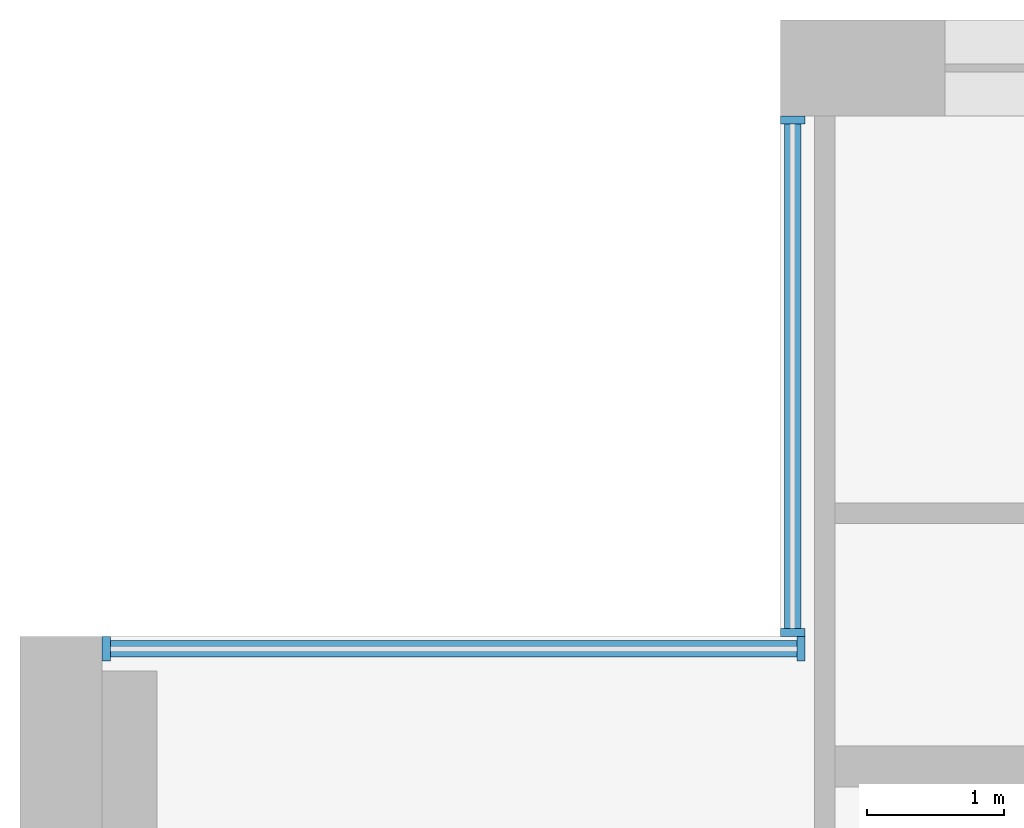
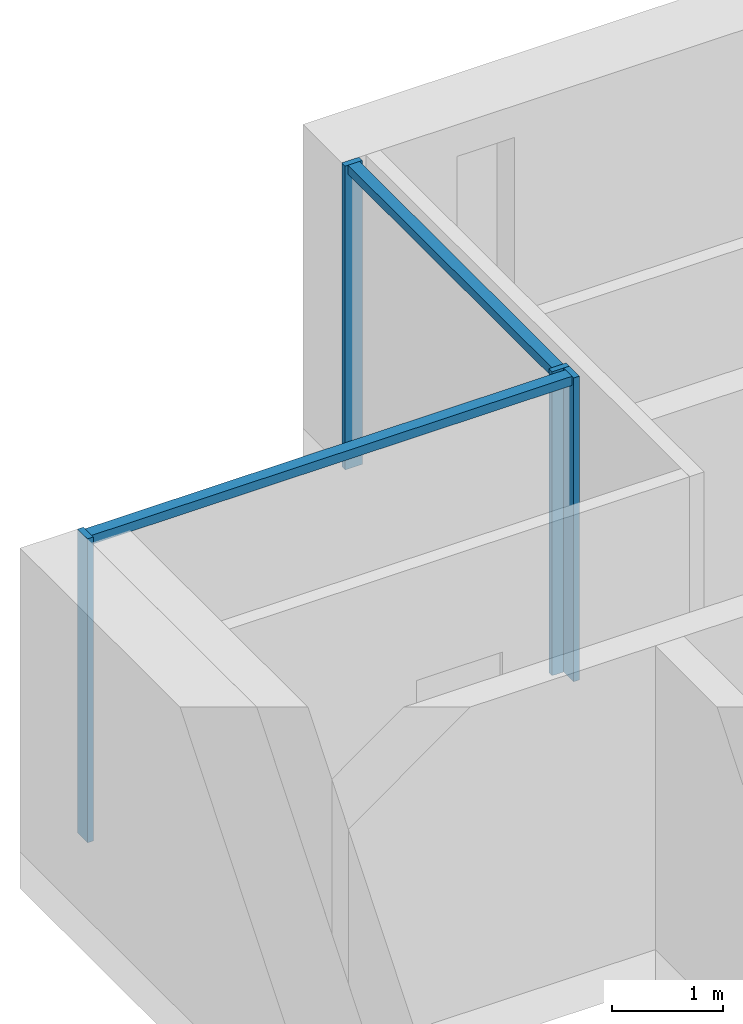
# One storey, part 4 of 17: 6 members, 2 elements without a shape of their own.
"""IFC4 building model written with IfcOpenShell, lengths in metres."""

from ifc_helpers import new_model, si_unit, direction, frame, origin, origin_2d, place, context, subcontext, project, spatial, rectangle, extrude, material, material_profile, profile_set, type_object, element, aggregate, save


model = new_model("IFC4")

# Units and contexts
model_context = context("Model", 3, precision=1e-05, world=origin(), true_north=direction((0.0, 1.0)))
body_context = subcontext(model_context, "Body", "Model", "MODEL_VIEW")
ifc_project = project(units=[si_unit("LENGTHUNIT", "METRE"), si_unit("AREAUNIT", "SQUARE_METRE"), si_unit("VOLUMEUNIT", "CUBIC_METRE"), si_unit("PLANEANGLEUNIT", "RADIAN"), si_unit("MASSUNIT", "GRAM", prefix="KILO")], contexts=[model_context])

# Site, building, storey
site_placement = place(None, origin())
site = spatial("IfcSite", under=ifc_project, at=site_placement, CompositionType="ELEMENT")
building_placement = place(site_placement, origin())
building = spatial("IfcBuilding", under=site, at=building_placement, Name="Calvaro Tower", CompositionType="ELEMENT")
storey_placement = place(building_placement, frame((0.0, 0.0, 185.5)))
storey = spatial("IfcBuildingStorey", under=building, at=storey_placement, Name="L46", CompositionType="ELEMENT", Elevation=185.5)

# Curtain wall, members
ifc_material_1 = material(Name="Anodised aluminium", Category="aluminium")
curtain_wall_type = type_object("IfcCurtainWallType", Name="Office curtain wall, upper zone", PredefinedType="NOTDEFINED", material=ifc_material_1)
curtain_wall_1_placement = place(storey_placement, origin())
curtain_wall_1 = element("IfcCurtainWall", 1, at=curtain_wall_1_placement, inside=storey, type_object=curtain_wall_type, Name="CW3 corner curtain wall", PredefinedType="NOTDEFINED")
ifc_material_2 = material(Name="Anodised aluminium", Category="aluminium")
ifc_material_profile_1 = material_profile(ifc_material_2, rectangle(XDim=0.179931640625, YDim=0.06005859375, at=origin_2d()), Name="Mullion S3 60 x 180")
ifc_profile_set_1 = profile_set([ifc_material_profile_1], Name="Anodised aluminium")
member_type_1 = type_object("IfcMemberType", Name="Mullion S3 60 x 180", PredefinedType="MULLION", material=ifc_profile_set_1)
member_1_placement = place(storey_placement, frame((11.639892578125, 41.530029296875, 0.0), z_axis=(0.0, 0.0, 1.0), x_axis=(-1.0, 0.0, 0.0)))
member_1 = element("IfcMember", 2, at=member_1_placement, type_object=member_type_1, Name="CW3 mullion 1", PredefinedType="MULLION", context=body_context, shape_type="SweptSolid", body=[
    extrude(rectangle(XDim=0.179931640625, YDim=0.06005859375, at=origin_2d()), origin(), (0.0, 0.0, 1.0), 3.35009765625),
])
member_2_placement = place(storey_placement, frame((11.639892578125, 45.27001953125, 0.0), z_axis=(0.0, 0.0, 1.0), x_axis=(-1.0, 0.0, 0.0)))
member_2 = element("IfcMember", 3, at=member_2_placement, type_object=member_type_1, Name="CW3 mullion 2", PredefinedType="MULLION", context=body_context, shape_type="SweptSolid", body=[
    extrude(rectangle(XDim=0.179931640625, YDim=0.06005859375, at=origin_2d()), origin(), (0.0, 0.0, 1.0), 3.35009765625),
])

curtain_wall_2_placement = place(storey_placement, origin())
curtain_wall_2 = element("IfcCurtainWall", 4, at=curtain_wall_2_placement, inside=storey, type_object=curtain_wall_type, Name="CW3 corner curtain wall", PredefinedType="NOTDEFINED")
member_3_placement = place(storey_placement, frame((6.6298828125, 41.409912109375, 0.0), z_axis=(0.0, 0.0, 1.0), x_axis=(0.0, 1.0, 0.0)))
member_3 = element("IfcMember", 5, at=member_3_placement, type_object=member_type_1, Name="CW3 mullion 1", PredefinedType="MULLION", context=body_context, shape_type="SweptSolid", body=[
    extrude(rectangle(XDim=0.179931640625, YDim=0.06005859375, at=origin_2d()), origin(), (0.0, 0.0, 1.0), 3.35009765625),
])
member_4_placement = place(storey_placement, frame((11.699951171875, 41.409912109375, 0.0), z_axis=(0.0, 0.0, 1.0), x_axis=(0.0, 1.0, 0.0)))
member_4 = element("IfcMember", 6, at=member_4_placement, type_object=member_type_1, Name="CW3 mullion 2", PredefinedType="MULLION", context=body_context, shape_type="SweptSolid", body=[
    extrude(rectangle(XDim=0.179931640625, YDim=0.06005859375, at=origin_2d()), origin(), (0.0, 0.0, 1.0), 3.35009765625),
])

# Member
ifc_material_3 = material(Name="Anodised aluminium", Category="aluminium")
ifc_material_profile_2 = material_profile(ifc_material_3, rectangle(XDim=0.1201171875, YDim=0.10009765625, at=origin_2d()), Name="Transom S3 100 x 120")
ifc_profile_set_2 = profile_set([ifc_material_profile_2], Name="Anodised aluminium")
member_type_2 = type_object("IfcMemberType", Name="Transom S3 100 x 120", PredefinedType="USERDEFINED", material=ifc_profile_set_2)
member_5_placement = place(storey_placement, frame((11.639892578125, 41.56005859375, 3.300048828125), z_axis=(0.0, 1.0, 0.0), x_axis=(-1.0, 0.0, 0.0)))
member_5 = element("IfcMember", 7, at=member_5_placement, type_object=member_type_2, Name="CW3 transom 1.1", ObjectType="TRANSOM", PredefinedType="USERDEFINED", context=body_context, shape_type="SweptSolid", body=[
    extrude(rectangle(XDim=0.1201171875, YDim=0.10009765625, at=origin_2d()), origin(), (0.0, 0.0, 1.0), 3.679931640625),
])

aggregate(curtain_wall_1, [member_1, member_2, member_5])

member_6_placement = place(storey_placement, frame((6.659912109375, 41.409912109375, 3.300048828125), z_axis=(1.0, 0.0, 0.0), x_axis=(0.0, 1.0, 0.0)))
member_6 = element("IfcMember", 8, at=member_6_placement, type_object=member_type_2, Name="CW3 transom 1.1", ObjectType="TRANSOM", PredefinedType="USERDEFINED", context=body_context, shape_type="SweptSolid", body=[
    extrude(rectangle(XDim=0.1201171875, YDim=0.10009765625, at=origin_2d()), origin(), (0.0, 0.0, 1.0), 5.010009765625),
])

aggregate(curtain_wall_2, [member_3, member_4, member_6])

save(model, "model.ifc")
